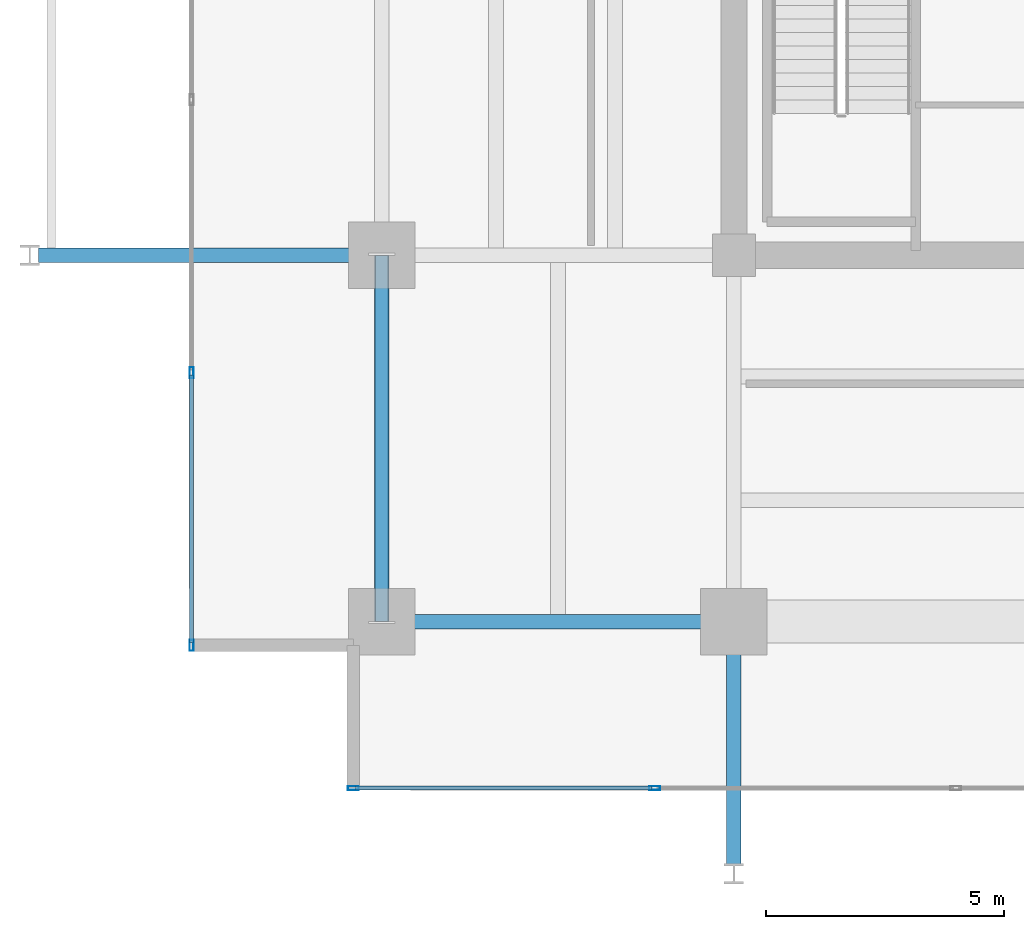
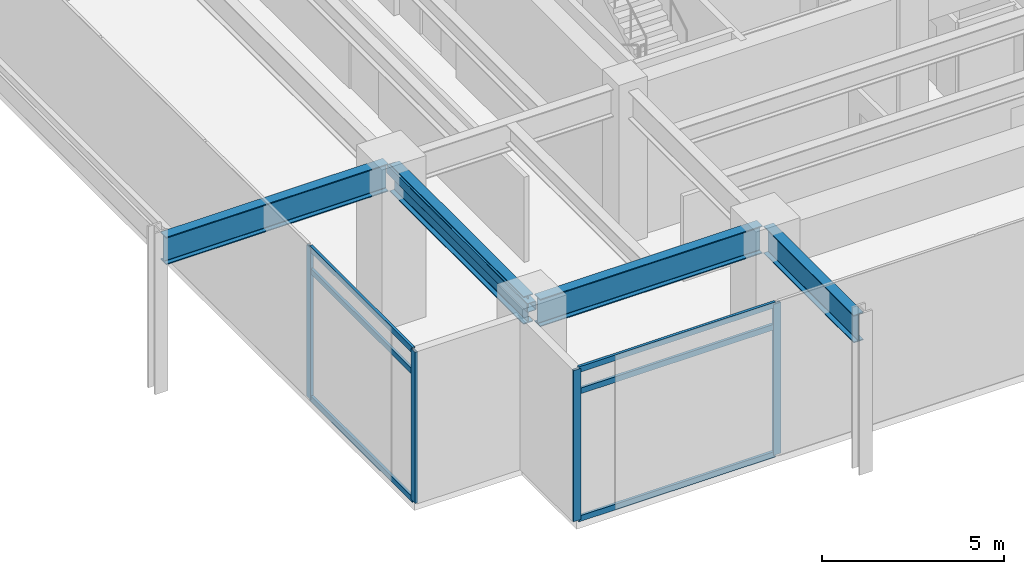
# One storey, part 2 of 24: 11 members, 4 beams, 2 elements without a shape of their own.
"""IFC4 building model written with IfcOpenShell, lengths in metres."""

import ifcopenshell
import ifcopenshell.guid

model = None  # the IFC model being written
_history = None  # IfcOwnerHistory: only IFC2X3 demands one
_inside = {}  # id of a spatial element -> (the spatial element, [elements in it])
_under = {}  # id of a project, library or spatial element -> (it, [spatial elements below it])
_declared = {}  # id of a project -> (the project, [libraries it declares])
_typed = {}  # id of a type object -> (the type object, [elements of that type])
_made_of = {}  # id of a material, layer set ... -> (it, [elements and type objects made of it])


def new_model(schema):
    """Start an empty IFC model of exactly this schema.

    Asked for "IFC4X3", IfcOpenShell would pick the latest addendum, in which some entities
    have other attributes; the version numbers below select the first issue.
    IFC2X3 requires an IfcOwnerHistory on every rooted entity: one is made here for all.
    """
    global model, _history
    if schema == "IFC4X3":
        model = ifcopenshell.file(schema_version=(4, 3, 0, 0))
    else:
        model = ifcopenshell.file(schema=schema)
    _inside.clear()
    _under.clear()
    _declared.clear()
    _typed.clear()
    _made_of.clear()
    _history = None
    if model.schema == "IFC2X3":
        org = make("IfcOrganization", Name="unknown")
        user = make(
            "IfcPersonAndOrganization",
            ThePerson=make("IfcPerson", FamilyName="unknown"),
            TheOrganization=org,
        )
        app = make(
            "IfcApplication",
            ApplicationDeveloper=org,
            Version="unknown",
            ApplicationFullName="unknown",
            ApplicationIdentifier="unknown",
        )
        _history = make(
            "IfcOwnerHistory",
            OwningUser=user,
            OwningApplication=app,
            ChangeAction="ADDED",
            CreationDate=0,
        )
    return model


def make(cls, **values):
    """One entity of the class cls with the attributes given. An attribute that is None is left unset."""
    return model.create_entity(
        cls, **{name: value for name, value in values.items() if value is not None}
    )


def rooted(cls, **values):
    """An entity with a GlobalId (a new one), such as an element, a storey or a relation."""
    return make(cls, GlobalId=ifcopenshell.guid.new(), OwnerHistory=_history, **values)


def si_unit(unit_type, name, prefix=None):
    """IfcSIUnit, for example si_unit("LENGTHUNIT", "METRE", prefix="MILLI")."""
    return make("IfcSIUnit", UnitType=unit_type, Prefix=prefix, Name=name)


def assignment(units):
    """IfcUnitAssignment: the units of a project."""
    return None if units is None else make("IfcUnitAssignment", Units=units)


def point(xyz):
    """IfcCartesianPoint."""
    return None if xyz is None else make("IfcCartesianPoint", Coordinates=xyz)


def direction(xyz):
    """IfcDirection."""
    return None if xyz is None else make("IfcDirection", DirectionRatios=xyz)


def frame(location, z_axis=None, x_axis=None):
    """IfcAxis2Placement3D, a coordinate frame: its origin and axes. An axis left out is left unset."""
    return make(
        "IfcAxis2Placement3D",
        Location=point(location),
        Axis=direction(z_axis),
        RefDirection=direction(x_axis),
    )


def frame_2d(location, x_axis=None):
    """IfcAxis2Placement2D, a coordinate frame in the plane: its origin and x axis."""
    return make(
        "IfcAxis2Placement2D", Location=point(location), RefDirection=direction(x_axis)
    )


def origin():
    """The frame at (0, 0, 0) with its axes left unset."""
    return frame((0.0, 0.0, 0.0))


def origin_2d():
    """The frame at (0, 0) in the plane with its x axis left unset."""
    return frame_2d((0.0, 0.0))


def place(relative_to, where):
    """IfcLocalPlacement: puts the frame where relative to a parent placement (None: the world)."""
    return make(
        "IfcLocalPlacement", PlacementRelTo=relative_to, RelativePlacement=where
    )


def context(
    kind, dimensions, precision=None, world=None, true_north=None, identifier=None
):
    """IfcGeometricRepresentationContext, for example the 3D "Model" context."""
    return make(
        "IfcGeometricRepresentationContext",
        ContextIdentifier=identifier,
        ContextType=kind,
        CoordinateSpaceDimension=dimensions,
        Precision=precision,
        WorldCoordinateSystem=world,
        TrueNorth=true_north,
    )


def subcontext(parent, identifier, kind, view, scale=None):
    """IfcGeometricRepresentationSubContext, for example "Body" below "Model"."""
    return make(
        "IfcGeometricRepresentationSubContext",
        ContextIdentifier=identifier,
        ContextType=kind,
        ParentContext=parent,
        TargetScale=scale,
        TargetView=view,
    )


def project(units=None, contexts=None):
    """IfcProject with its units and contexts."""
    return rooted(
        "IfcProject",
        Name="project",
        RepresentationContexts=contexts,
        UnitsInContext=assignment(units),
    )


def spatial(cls, under=None, at=None, **own):
    """A site, building, storey or space (cls), placed at a placement, below another one or the project."""
    s = rooted(cls, ObjectPlacement=at, **own)
    if under is not None:
        _under.setdefault(under.id(), (under, []))[1].append(s)
    return s


def profile(cls, at=None, kind="AREA", **sizes):
    """A parametric profile (cls). Its sizes go by their IFC names, for example OverallWidth=200.0."""
    return make(cls, ProfileType=kind, Position=at, **sizes)


def hollow_rectangle(**sizes):
    """IfcRectangleHollowProfileDef."""
    return profile("IfcRectangleHollowProfileDef", **sizes)


def i_section(**sizes):
    """IfcIShapeProfileDef."""
    return profile("IfcIShapeProfileDef", **sizes)


def extrude(swept, where, along, depth):
    """IfcExtrudedAreaSolid: the profile swept, set in the frame where, extruded along a direction by depth."""
    return make(
        "IfcExtrudedAreaSolid",
        SweptArea=swept,
        Position=where,
        ExtrudedDirection=direction(along),
        Depth=depth,
    )


def shape(context_of_items, identifier, shape_type, items):
    """IfcShapeRepresentation: the items that make up one representation, for example the "Body"."""
    return make(
        "IfcShapeRepresentation",
        ContextOfItems=context_of_items,
        RepresentationIdentifier=identifier,
        RepresentationType=shape_type,
        Items=items,
    )


def material(Name=None, Category=None):
    """IfcMaterial."""
    return make("IfcMaterial", Name=Name, Category=Category)


def material_profile(
    of_material, cross_section, Name=None, Category=None, Priority=None
):
    """IfcMaterialProfile: a cross section and its material."""
    return make(
        "IfcMaterialProfile",
        Name=Name,
        Material=of_material,
        Profile=cross_section,
        Priority=Priority,
        Category=Category,
    )


def profile_set(profiles, Name=None, composite=None):
    """IfcMaterialProfileSet."""
    return make(
        "IfcMaterialProfileSet",
        Name=Name,
        MaterialProfiles=profiles,
        CompositeProfile=composite,
    )


def made_of(thing, what):
    """Note that an element or type object is made of a material, layer set ...; save() writes the relation."""
    if what is not None:
        _made_of.setdefault(what.id(), (what, []))[1].append(thing)
    return thing


def type_object(cls, material=None, **own):
    """A type object (cls), such as IfcWallType, which elements share."""
    return made_of(rooted(cls, **own), material)


def element(
    cls,
    number,
    at=None,
    inside=None,
    cuts=None,
    type_object=None,
    material=None,
    context=None,
    identifier="Body",
    shape_type=None,
    held_by="IfcProductDefinitionShape",
    body=None,
    shapes=None,
    **own,
):
    """One element of the class cls, such as IfcWall. Its Tag is "e" and its number.

    at: its placement. inside: the storey or other place that contains it. cuts: it is an
    opening in that element (IfcRelVoidsElement). A single representation is given by context,
    identifier, shape_type and body (its items); several are given by shapes. held_by: the class
    of the entity that holds the representations. save() writes the other relations.
    """
    e = rooted(cls, Tag="e%d" % number, ObjectPlacement=at, **own)
    if body is not None:
        shapes = [shape(context, identifier, shape_type, body)]
    if shapes is not None:
        e.Representation = make(held_by, Representations=shapes)
    if inside is not None:
        _inside.setdefault(inside.id(), (inside, []))[1].append(e)
    if cuts is not None:
        rooted(
            "IfcRelVoidsElement", RelatingBuildingElement=cuts, RelatedOpeningElement=e
        )
    if type_object is not None:
        _typed.setdefault(type_object.id(), (type_object, []))[1].append(e)
    return made_of(e, material)


def aggregate(whole, parts):
    """IfcRelAggregates: a whole, such as a stair, and the parts it consists of."""
    return rooted("IfcRelAggregates", RelatingObject=whole, RelatedObjects=parts)


def save(model, path):
    """Write the relations noted so far, then the file.

    IfcRelAggregates (storeys below a building ...), IfcRelContainedInSpatialStructure (elements
    in a storey), IfcRelDefinesByType, IfcRelAssociatesMaterial and IfcRelDeclares: one each for
    every whole, place, type object, material and project.
    """
    for whole, parts in _under.values():
        aggregate(whole, parts)
    for where, things in _inside.values():
        rooted(
            "IfcRelContainedInSpatialStructure",
            RelatedElements=things,
            RelatingStructure=where,
        )
    for kind, things in _typed.values():
        rooted("IfcRelDefinesByType", RelatedObjects=things, RelatingType=kind)
    for what, things in _made_of.values():
        rooted("IfcRelAssociatesMaterial", RelatedObjects=things, RelatingMaterial=what)
    for by, libraries in _declared.values():
        rooted("IfcRelDeclares", RelatingContext=by, RelatedDefinitions=libraries)
    model.write(path)


model = new_model("IFC4")

# Units and contexts
model_context = context("Model", 3, precision=1e-05, world=origin(), true_north=direction((0.0, 1.0)))
body_context = subcontext(model_context, "Body", "Model", "MODEL_VIEW")
ifc_project = project(units=[si_unit("LENGTHUNIT", "METRE"), si_unit("AREAUNIT", "SQUARE_METRE"), si_unit("VOLUMEUNIT", "CUBIC_METRE"), si_unit("PLANEANGLEUNIT", "RADIAN"), si_unit("MASSUNIT", "GRAM", prefix="KILO")], contexts=[model_context])

# Site, building, storey
site_placement = place(None, origin())
site = spatial("IfcSite", under=ifc_project, at=site_placement, CompositionType="ELEMENT")
building_placement = place(site_placement, origin())
building = spatial("IfcBuilding", under=site, at=building_placement, Name="Kovane Verandah Tower", CompositionType="ELEMENT")
storey_placement = place(building_placement, frame((0.0, 0.0, 194.800048828125)))
storey = spatial("IfcBuildingStorey", under=building, at=storey_placement, Name="L45", CompositionType="ELEMENT", Elevation=194.800048828125)

# Beams
ifc_material_1 = material(Name="Steel S460", Category="steel")
ifc_material_profile_1 = material_profile(ifc_material_1, i_section(OverallWidth=0.3076171875, OverallDepth=0.926513671875, WebThickness=0.01953125, FlangeThickness=0.031982421875, FilletRadius=0.01904296875, at=origin_2d()), Name="UB914x305x289")
ifc_profile_set_1 = profile_set([ifc_material_profile_1], Name="Steel S460")
beam_type = type_object("IfcBeamType", Name="BM-UB914x289", PredefinedType="BEAM", material=ifc_profile_set_1)
beam_1_placement = place(storey_placement, frame((21.780029296875, 10.800048828125, 4.63671875), z_axis=(1.0, 0.0, 0.0), x_axis=(0.0, 1.0, 0.0)))
element("IfcBeam", 1, at=beam_1_placement, inside=storey, type_object=beam_type, Name="L45 Primary Tower Girder G-RS1", PredefinedType="BEAM", context=body_context, shape_type="SweptSolid", body=[
    extrude(i_section(OverallWidth=0.3076171875, OverallDepth=0.926513671875, WebThickness=0.01953125, FlangeThickness=0.031982421875, FilletRadius=0.01904296875, at=origin_2d()), origin(), (0.0, 0.0, 1.0), 7.0400390625),
])
beam_2_placement = place(storey_placement, frame((21.60009765625, 10.97998046875, 4.63671875), z_axis=(0.0, 1.0, 0.0), x_axis=(-1.0, 0.0, 0.0)))
element("IfcBeam", 2, at=beam_2_placement, inside=storey, type_object=beam_type, Name="L45 Primary Tower Girder G-RW1", PredefinedType="BEAM", context=body_context, shape_type="SweptSolid", body=[
    extrude(i_section(OverallWidth=0.3076171875, OverallDepth=0.926513671875, WebThickness=0.01953125, FlangeThickness=0.031982421875, FilletRadius=0.01904296875, at=origin_2d()), origin(), (0.0, 0.0, 1.0), 7.340087890625),
])
beam_3_placement = place(storey_placement, frame((21.419921875, 18.5, 4.63671875), z_axis=(-1.0, 0.0, 0.0), x_axis=(0.0, -1.0, 0.0)))
element("IfcBeam", 3, at=beam_3_placement, inside=storey, type_object=beam_type, Name="L45 Primary Tower Girder G-VW1", PredefinedType="BEAM", context=body_context, shape_type="SweptSolid", body=[
    extrude(i_section(OverallWidth=0.3076171875, OverallDepth=0.926513671875, WebThickness=0.01953125, FlangeThickness=0.031982421875, FilletRadius=0.01904296875, at=origin_2d()), origin(), (0.0, 0.0, 1.0), 7.0400390625),
])
beam_4_placement = place(storey_placement, frame((29.0, 10.6201171875, 4.63671875), z_axis=(0.0, -1.0, 0.0), x_axis=(1.0, 0.0, 0.0)))
element("IfcBeam", 4, at=beam_4_placement, inside=storey, type_object=beam_type, Name="L45 Primary Tower Girder G-VS1", PredefinedType="BEAM", context=body_context, shape_type="SweptSolid", body=[
    extrude(i_section(OverallWidth=0.3076171875, OverallDepth=0.926513671875, WebThickness=0.01953125, FlangeThickness=0.031982421875, FilletRadius=0.01904296875, at=origin_2d()), origin(), (0.0, 0.0, 1.0), 4.940185546875),
])

# Curtain wall, members
ifc_material_2 = material(Name="Champagne Anodised Aluminium Frame with Low-E Clear Laminated Glass", Category="aluminium")
curtain_wall_type = type_object("IfcCurtainWallType", Name="CW-SYS-04-WAIST", PredefinedType="NOTDEFINED", material=ifc_material_2)
curtain_wall_1_placement = place(storey_placement, origin())
curtain_wall_1 = element("IfcCurtainWall", 5, at=curtain_wall_1_placement, inside=storey, type_object=curtain_wall_type, Name="L45 S Unitised Curtain Wall", PredefinedType="NOTDEFINED")
ifc_material_3 = material(Name="Champagne Anodised Aluminium 6063-T6", Category="aluminium")
ifc_material_profile_2 = material_profile(ifc_material_3, hollow_rectangle(XDim=0.0849609375, YDim=0.22998046875, WallThickness=0.00390625, at=origin_2d()), Name="AL85x230x4")
ifc_profile_set_2 = profile_set([ifc_material_profile_2], Name="Champagne Anodised Aluminium 6063-T6")
member_type_1 = type_object("IfcMemberType", Name="CW-MUL-85x230", PredefinedType="MULLION", material=ifc_profile_set_2)
member_1_placement = place(storey_placement, frame((21.0, 7.300048828125, 0.02001953125), z_axis=(0.0, 0.0, 1.0), x_axis=(0.0, -1.0, 0.0)))
member_1 = element("IfcMember", 6, at=member_1_placement, type_object=member_type_1, Name="L45 S Unitised Curtain Wall Mullion 1", PredefinedType="MULLION", context=body_context, shape_type="SweptSolid", body=[
    extrude(hollow_rectangle(XDim=0.0849609375, YDim=0.22998046875, WallThickness=0.00390625, at=origin_2d()), origin(), (0.0, 0.0, 1.0), 5.059814453125),
])
member_2_placement = place(storey_placement, frame((27.333251953125, 7.300048828125, 0.02001953125), z_axis=(0.0, 0.0, 1.0), x_axis=(0.0, -1.0, 0.0)))
member_2 = element("IfcMember", 7, at=member_2_placement, type_object=member_type_1, Name="L45 S Unitised Curtain Wall Mullion 2", PredefinedType="MULLION", context=body_context, shape_type="SweptSolid", body=[
    extrude(hollow_rectangle(XDim=0.0849609375, YDim=0.22998046875, WallThickness=0.00390625, at=origin_2d()), origin(), (0.0, 0.0, 1.0), 5.059814453125),
])

curtain_wall_2_placement = place(storey_placement, origin())
curtain_wall_2 = element("IfcCurtainWall", 8, at=curtain_wall_2_placement, inside=storey, type_object=curtain_wall_type, Name="L45 W Unitised Curtain Wall", PredefinedType="NOTDEFINED")
member_3_placement = place(storey_placement, frame((17.60009765625, 16.033203125, 0.02001953125), z_axis=(0.0, 0.0, 1.0), x_axis=(-1.0, 0.0, 0.0)))
member_3 = element("IfcMember", 9, at=member_3_placement, type_object=member_type_1, Name="L45 W Unitised Curtain Wall Mullion 6", PredefinedType="MULLION", context=body_context, shape_type="SweptSolid", body=[
    extrude(hollow_rectangle(XDim=0.0849609375, YDim=0.22998046875, WallThickness=0.00390625, at=origin_2d()), origin(), (0.0, 0.0, 1.0), 5.059814453125),
])
member_4_placement = place(storey_placement, frame((17.60009765625, 10.300048828125, 0.02001953125), z_axis=(0.0, 0.0, 1.0), x_axis=(-1.0, 0.0, 0.0)))
member_4 = element("IfcMember", 10, at=member_4_placement, type_object=member_type_1, Name="L45 W Unitised Curtain Wall Mullion 7", PredefinedType="MULLION", context=body_context, shape_type="SweptSolid", body=[
    extrude(hollow_rectangle(XDim=0.0849609375, YDim=0.22998046875, WallThickness=0.00390625, at=origin_2d()), origin(), (0.0, 0.0, 1.0), 5.059814453125),
])

# Member
ifc_material_profile_3 = material_profile(ifc_material_3, hollow_rectangle(XDim=0.0849609375, YDim=0.18994140625, WallThickness=0.00390625, at=origin_2d()), Name="AL85x190x4")
ifc_profile_set_3 = profile_set([ifc_material_profile_3], Name="Champagne Anodised Aluminium 6063-T6")
member_type_2 = type_object("IfcMemberType", Name="CW-TRN-85x190", PredefinedType="USERDEFINED", material=ifc_profile_set_3)
member_5_placement = place(storey_placement, frame((21.050048828125, 7.300048828125, 0.050048828125), z_axis=(1.0, 0.0, 0.0), x_axis=(0.0, 1.0, 0.0)))
member_5 = element("IfcMember", 11, at=member_5_placement, type_object=member_type_2, Name="L45 S Unitised Curtain Wall Transom TB Bay 1", ObjectType="TRANSOM", PredefinedType="USERDEFINED", context=body_context, shape_type="SweptSolid", body=[
    extrude(hollow_rectangle(XDim=0.0849609375, YDim=0.18994140625, WallThickness=0.00390625, at=origin_2d()), origin(), (0.0, 0.0, 1.0), 6.233154296875),
])

member_6_placement = place(storey_placement, frame((21.050048828125, 7.300048828125, 4.320068359375), z_axis=(1.0, 0.0, 0.0), x_axis=(0.0, 1.0, 0.0)))
member_6 = element("IfcMember", 12, at=member_6_placement, type_object=member_type_2, Name="L45 S Unitised Curtain Wall Transom TM Bay 1", ObjectType="TRANSOM", PredefinedType="USERDEFINED", context=body_context, shape_type="SweptSolid", body=[
    extrude(hollow_rectangle(XDim=0.0849609375, YDim=0.18994140625, WallThickness=0.00390625, at=origin_2d()), origin(), (0.0, 0.0, 1.0), 6.233154296875),
])

member_7_placement = place(storey_placement, frame((21.050048828125, 7.300048828125, 5.050048828125), z_axis=(1.0, 0.0, 0.0), x_axis=(0.0, 1.0, 0.0)))
member_7 = element("IfcMember", 13, at=member_7_placement, type_object=member_type_2, Name="L45 S Unitised Curtain Wall Transom TT Bay 1", ObjectType="TRANSOM", PredefinedType="USERDEFINED", context=body_context, shape_type="SweptSolid", body=[
    extrude(hollow_rectangle(XDim=0.0849609375, YDim=0.18994140625, WallThickness=0.00390625, at=origin_2d()), origin(), (0.0, 0.0, 1.0), 6.233154296875),
])

aggregate(curtain_wall_1, [member_1, member_2, member_5, member_6, member_7])

member_8_placement = place(storey_placement, frame((17.60009765625, 15.9833984375, 0.050048828125), z_axis=(0.0, -1.0, 0.0), x_axis=(1.0, 0.0, 0.0)))
member_8 = element("IfcMember", 14, at=member_8_placement, type_object=member_type_2, Name="L45 W Unitised Curtain Wall Transom TB Bay 6", ObjectType="TRANSOM", PredefinedType="USERDEFINED", context=body_context, shape_type="SweptSolid", body=[
    extrude(hollow_rectangle(XDim=0.0849609375, YDim=0.18994140625, WallThickness=0.00390625, at=origin_2d()), origin(), (0.0, 0.0, 1.0), 5.63330078125),
])

member_9_placement = place(storey_placement, frame((17.60009765625, 15.9833984375, 4.320068359375), z_axis=(0.0, -1.0, 0.0), x_axis=(1.0, 0.0, 0.0)))
member_9 = element("IfcMember", 15, at=member_9_placement, type_object=member_type_2, Name="L45 W Unitised Curtain Wall Transom TM Bay 6", ObjectType="TRANSOM", PredefinedType="USERDEFINED", context=body_context, shape_type="SweptSolid", body=[
    extrude(hollow_rectangle(XDim=0.0849609375, YDim=0.18994140625, WallThickness=0.00390625, at=origin_2d()), origin(), (0.0, 0.0, 1.0), 5.63330078125),
])

member_10_placement = place(storey_placement, frame((17.60009765625, 15.9833984375, 5.050048828125), z_axis=(0.0, -1.0, 0.0), x_axis=(1.0, 0.0, 0.0)))
member_10 = element("IfcMember", 16, at=member_10_placement, type_object=member_type_2, Name="L45 W Unitised Curtain Wall Transom TT Bay 6", ObjectType="TRANSOM", PredefinedType="USERDEFINED", context=body_context, shape_type="SweptSolid", body=[
    extrude(hollow_rectangle(XDim=0.0849609375, YDim=0.18994140625, WallThickness=0.00390625, at=origin_2d()), origin(), (0.0, 0.0, 1.0), 5.63330078125),
])

aggregate(curtain_wall_2, [member_3, member_4, member_8, member_9, member_10])

ifc_material_profile_4 = material_profile(ifc_material_1, hollow_rectangle(XDim=0.300048828125, YDim=0.300048828125, WallThickness=0.01611328125, InnerFilletRadius=0.01611328125, OuterFilletRadius=0.031982421875, at=origin_2d()), Name="SHS300x300x16")
ifc_profile_set_4 = profile_set([ifc_material_profile_4], Name="Steel S460")
member_type_3 = type_object("IfcMemberType", Name="MEM-BR-SHS300", PredefinedType="BRACE", material=ifc_profile_set_4)
member_11_placement = place(storey_placement, frame((21.60009765625, 10.800048828125, 4.820068359375), z_axis=(0.0, 1.0, 0.0), x_axis=(-1.0, 0.0, 0.0)))
element("IfcMember", 17, at=member_11_placement, inside=storey, type_object=member_type_3, Name="L45 Belt-Truss Ring Chord BW1", PredefinedType="BRACE", context=body_context, shape_type="SweptSolid", body=[
    extrude(hollow_rectangle(XDim=0.300048828125, YDim=0.300048828125, WallThickness=0.01611328125, InnerFilletRadius=0.01611328125, OuterFilletRadius=0.031982421875, at=origin_2d()), origin(), (0.0, 0.0, 1.0), 7.699951171875),
])

save(model, "model.ifc")
